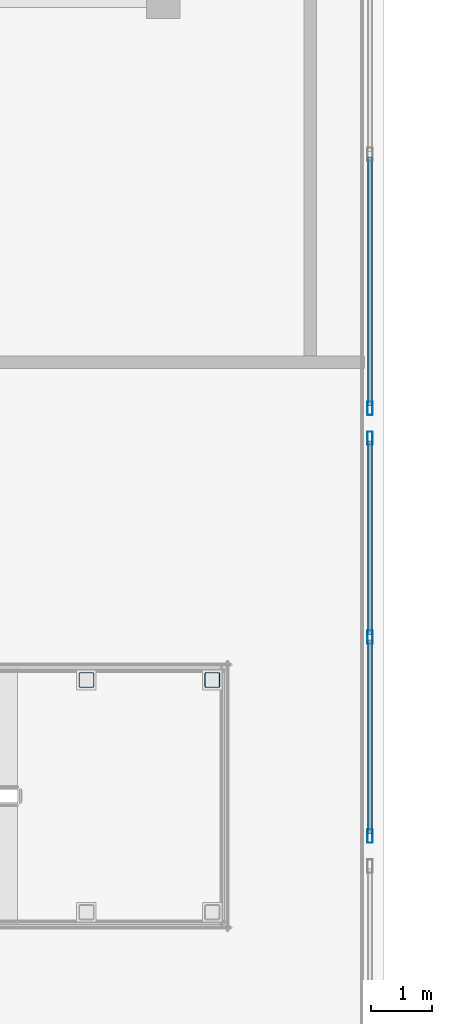
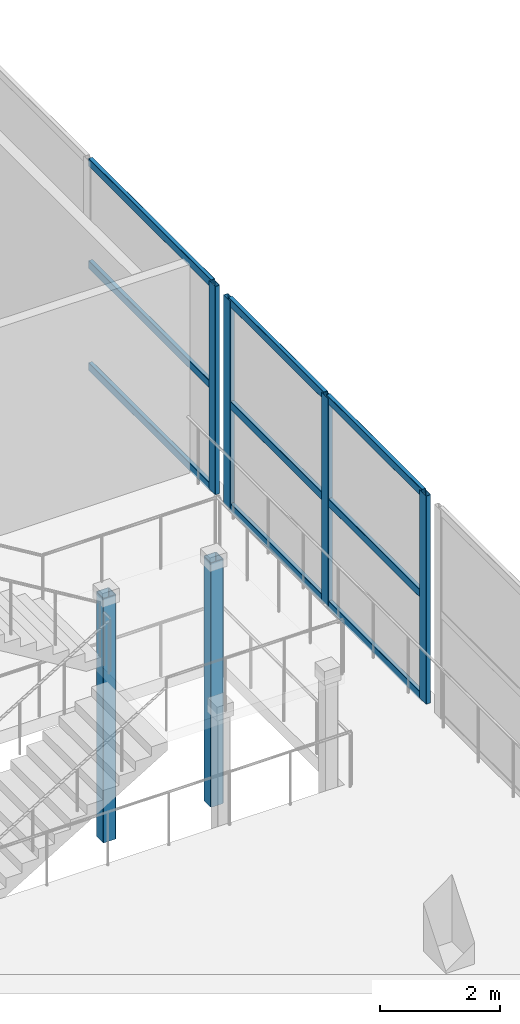
# One storey, part 11 of 92: 15 members, 2 elements without a shape of their own.
"""IFC4 building model written with IfcOpenShell, lengths in metres."""

from ifc_helpers import new_model, si_unit, direction, frame, origin, origin_2d, place, context, subcontext, project, spatial, hollow_rectangle, extrude, material, layer, layer_set, material_profile, profile_set, type_object, element, aggregate, save


model = new_model("IFC4")

# Units and contexts
model_context = context("Model", 3, precision=1e-05, world=origin(), true_north=direction((0.0, 1.0)))
body_context = subcontext(model_context, "Body", "Model", "MODEL_VIEW")
ifc_project = project(units=[si_unit("LENGTHUNIT", "METRE"), si_unit("AREAUNIT", "SQUARE_METRE"), si_unit("VOLUMEUNIT", "CUBIC_METRE"), si_unit("PLANEANGLEUNIT", "RADIAN"), si_unit("MASSUNIT", "GRAM", prefix="KILO")], contexts=[model_context])

# Site, building, storey
site_placement = place(None, origin())
site = spatial("IfcSite", under=ifc_project, at=site_placement, CompositionType="ELEMENT")
building_placement = place(site_placement, origin())
building = spatial("IfcBuilding", under=site, at=building_placement, Name="Tarnavel Promenade Courthouse", CompositionType="ELEMENT")
storey_placement = place(building_placement, frame((0.0, 0.0, 5.39990234375)))
storey = spatial("IfcBuildingStorey", under=building, at=storey_placement, Name="L02", CompositionType="ELEMENT", Elevation=5.39990234375)

# Members
ifc_material_1 = material(Name="Steel S355J2", Category="steel")
ifc_material_profile_1 = material_profile(ifc_material_1, hollow_rectangle(XDim=0.25, YDim=0.25, WallThickness=0.012451171875, InnerFilletRadius=0.012451171875, OuterFilletRadius=0.02490234375, at=origin_2d()), Name="SHS 250x250x12.5")
ifc_profile_set_1 = profile_set([ifc_material_profile_1], Name="Steel S355J2")
member_type_1 = type_object("IfcMemberType", Name="Steel S355J2 MEM-STR-SHS250 (SHS 250x250x12.5)", PredefinedType="STRUT", material=ifc_profile_set_1)
for number, where, z_axis, x_axis, name in (
    (1, (50.340087890625, 24.0, -2.699951171875), (0.0, 0.0, 1.0), (1.0, 0.0, 0.0), "L02 ST-09 Monumental Stair Landing Post 3"),
    (2, (52.39990234375, 24.0, -2.699951171875), (0.0, 0.0, 1.0), (1.0, 0.0, 0.0), "L02 ST-09 Monumental Stair Landing Post 4"),
):
    element("IfcMember", number, at=place(storey_placement, frame(where, z_axis=z_axis, x_axis=x_axis)), inside=storey, type_object=member_type_1, Name=name, PredefinedType="STRUT", context=body_context, shape_type="SweptSolid", body=[
        extrude(hollow_rectangle(XDim=0.25, YDim=0.25, WallThickness=0.012451171875, InnerFilletRadius=0.012451171875, OuterFilletRadius=0.02490234375, at=origin_2d()), origin(), (0.0, 0.0, 1.0), 4.949951171875),
    ])

# Curtain wall, members
ifc_material_2 = material(Name="Thermally Broken Anodised Aluminium Curtain Wall System", Category="aluminium")
ifc_layer = layer(ifc_material_2, 0.219970703125)
ifc_layer_set = layer_set([ifc_layer], Name="Thermally Broken Anodised Aluminium Curtain Wall System")
curtain_wall_type = type_object("IfcCurtainWallType", Name="Thermally Broken Aluminium Triple-Glazed Curtain Wall CW-DRUM", PredefinedType="NOTDEFINED", material=ifc_layer_set)
curtain_wall_1_placement = place(storey_placement, origin())
curtain_wall_1 = element("IfcCurtainWall", 3, at=curtain_wall_1_placement, inside=storey, type_object=curtain_wall_type, Name="L02 Public Drum East Return Curtain Wall 025", PredefinedType="NOTDEFINED")
ifc_material_3 = material(Name="Thermally Broken Anodised Aluminium Frame", Category="aluminium")
ifc_material_profile_2 = material_profile(ifc_material_3, hollow_rectangle(XDim=0.090087890625, YDim=0.219970703125, WallThickness=0.0048828125, InnerFilletRadius=0.0048828125, OuterFilletRadius=0.010009765625, at=origin_2d()), Name="CWM 220x90x5")
ifc_profile_set_2 = profile_set([ifc_material_profile_2], Name="Thermally Broken Anodised Aluminium Frame")
member_type_2 = type_object("IfcMemberType", Name="Thermally Broken Anodised Aluminium CWM-175 (CWM 220x90x5)", PredefinedType="MULLION", material=ifc_profile_set_2)
member_1_placement = place(storey_placement, frame((54.97998046875, 21.445068359375, 0.0), z_axis=(0.0, 0.0, 1.0), x_axis=(-1.0, 0.0, 0.0)))
member_1 = element("IfcMember", 4, at=member_1_placement, type_object=member_type_2, Name="CW-01 mullion 1", PredefinedType="MULLION", context=body_context, shape_type="SweptSolid", body=[
    extrude(hollow_rectangle(XDim=0.090087890625, YDim=0.219970703125, WallThickness=0.0048828125, InnerFilletRadius=0.0048828125, OuterFilletRadius=0.010009765625, at=origin_2d()), origin(), (0.0, 0.0, 1.0), 4.22021484375),
])
member_2_placement = place(storey_placement, frame((54.97998046875, 24.699951171875, 0.0), z_axis=(0.0, 0.0, 1.0), x_axis=(-1.0, 0.0, 0.0)))
member_2 = element("IfcMember", 5, at=member_2_placement, type_object=member_type_2, Name="CW-01 mullion 2", PredefinedType="MULLION", context=body_context, shape_type="SweptSolid", body=[
    extrude(hollow_rectangle(XDim=0.090087890625, YDim=0.219970703125, WallThickness=0.0048828125, InnerFilletRadius=0.0048828125, OuterFilletRadius=0.010009765625, at=origin_2d()), origin(), (0.0, 0.0, 1.0), 4.22021484375),
])
member_3_placement = place(storey_placement, frame((54.97998046875, 27.955078125, 0.0), z_axis=(0.0, 0.0, 1.0), x_axis=(-1.0, 0.0, 0.0)))
member_3 = element("IfcMember", 6, at=member_3_placement, type_object=member_type_2, Name="CW-01 mullion 3", PredefinedType="MULLION", context=body_context, shape_type="SweptSolid", body=[
    extrude(hollow_rectangle(XDim=0.090087890625, YDim=0.219970703125, WallThickness=0.0048828125, InnerFilletRadius=0.0048828125, OuterFilletRadius=0.010009765625, at=origin_2d()), origin(), (0.0, 0.0, 1.0), 4.22021484375),
])

# Curtain wall, member
curtain_wall_2_placement = place(storey_placement, origin())
curtain_wall_2 = element("IfcCurtainWall", 7, at=curtain_wall_2_placement, inside=storey, type_object=curtain_wall_type, Name="L02 Public Drum East Return Curtain Wall 026", PredefinedType="NOTDEFINED")
member_4_placement = place(storey_placement, frame((54.97998046875, 28.445068359375, 0.0), z_axis=(0.0, 0.0, 1.0), x_axis=(-1.0, 0.0, 0.0)))
member_4 = element("IfcMember", 8, at=member_4_placement, type_object=member_type_2, Name="CW-01 mullion 1", PredefinedType="MULLION", context=body_context, shape_type="SweptSolid", body=[
    extrude(hollow_rectangle(XDim=0.090087890625, YDim=0.219970703125, WallThickness=0.0048828125, InnerFilletRadius=0.0048828125, OuterFilletRadius=0.010009765625, at=origin_2d()), origin(), (0.0, 0.0, 1.0), 4.22021484375),
])

# Member
ifc_material_profile_3 = material_profile(ifc_material_3, hollow_rectangle(XDim=0.080078125, YDim=0.159912109375, WallThickness=0.0048828125, InnerFilletRadius=0.0048828125, OuterFilletRadius=0.010009765625, at=origin_2d()), Name="CWT 160x80x5")
ifc_profile_set_3 = profile_set([ifc_material_profile_3], Name="Thermally Broken Anodised Aluminium Frame")
member_type_3 = type_object("IfcMemberType", Name="Thermally Broken Anodised Aluminium CWT-145 (CWT 160x80x5)", PredefinedType="USERDEFINED", material=ifc_profile_set_3)
member_5_placement = place(storey_placement, frame((54.97998046875, 21.489990234375, 0.0400390625), z_axis=(0.0, 1.0, 0.0), x_axis=(-1.0, 0.0, 0.0)))
member_5 = element("IfcMember", 9, at=member_5_placement, type_object=member_type_3, Name="CW-01 transom 1.1", ObjectType="TRANSOM", PredefinedType="USERDEFINED", context=body_context, shape_type="SweptSolid", body=[
    extrude(hollow_rectangle(XDim=0.080078125, YDim=0.159912109375, WallThickness=0.0048828125, InnerFilletRadius=0.0048828125, OuterFilletRadius=0.010009765625, at=origin_2d()), origin(), (0.0, 0.0, 1.0), 3.1650390625),
])

member_6_placement = place(storey_placement, frame((54.97998046875, 21.489990234375, 2.110107421875), z_axis=(0.0, 1.0, 0.0), x_axis=(-1.0, 0.0, 0.0)))
member_6 = element("IfcMember", 10, at=member_6_placement, type_object=member_type_3, Name="CW-01 transom 1.2", ObjectType="TRANSOM", PredefinedType="USERDEFINED", context=body_context, shape_type="SweptSolid", body=[
    extrude(hollow_rectangle(XDim=0.080078125, YDim=0.159912109375, WallThickness=0.0048828125, InnerFilletRadius=0.0048828125, OuterFilletRadius=0.010009765625, at=origin_2d()), origin(), (0.0, 0.0, 1.0), 3.1650390625),
])

member_7_placement = place(storey_placement, frame((54.97998046875, 21.489990234375, 4.18017578125), z_axis=(0.0, 1.0, 0.0), x_axis=(-1.0, 0.0, 0.0)))
member_7 = element("IfcMember", 11, at=member_7_placement, type_object=member_type_3, Name="CW-01 transom 1.3", ObjectType="TRANSOM", PredefinedType="USERDEFINED", context=body_context, shape_type="SweptSolid", body=[
    extrude(hollow_rectangle(XDim=0.080078125, YDim=0.159912109375, WallThickness=0.0048828125, InnerFilletRadius=0.0048828125, OuterFilletRadius=0.010009765625, at=origin_2d()), origin(), (0.0, 0.0, 1.0), 3.1650390625),
])

member_8_placement = place(storey_placement, frame((54.97998046875, 24.7451171875, 0.0400390625), z_axis=(0.0, 1.0, 0.0), x_axis=(-1.0, 0.0, 0.0)))
member_8 = element("IfcMember", 12, at=member_8_placement, type_object=member_type_3, Name="CW-01 transom 2.1", ObjectType="TRANSOM", PredefinedType="USERDEFINED", context=body_context, shape_type="SweptSolid", body=[
    extrude(hollow_rectangle(XDim=0.080078125, YDim=0.159912109375, WallThickness=0.0048828125, InnerFilletRadius=0.0048828125, OuterFilletRadius=0.010009765625, at=origin_2d()), origin(), (0.0, 0.0, 1.0), 3.164794921875),
])

member_9_placement = place(storey_placement, frame((54.97998046875, 24.7451171875, 2.110107421875), z_axis=(0.0, 1.0, 0.0), x_axis=(-1.0, 0.0, 0.0)))
member_9 = element("IfcMember", 13, at=member_9_placement, type_object=member_type_3, Name="CW-01 transom 2.2", ObjectType="TRANSOM", PredefinedType="USERDEFINED", context=body_context, shape_type="SweptSolid", body=[
    extrude(hollow_rectangle(XDim=0.080078125, YDim=0.159912109375, WallThickness=0.0048828125, InnerFilletRadius=0.0048828125, OuterFilletRadius=0.010009765625, at=origin_2d()), origin(), (0.0, 0.0, 1.0), 3.164794921875),
])

member_10_placement = place(storey_placement, frame((54.97998046875, 24.7451171875, 4.18017578125), z_axis=(0.0, 1.0, 0.0), x_axis=(-1.0, 0.0, 0.0)))
member_10 = element("IfcMember", 14, at=member_10_placement, type_object=member_type_3, Name="CW-01 transom 2.3", ObjectType="TRANSOM", PredefinedType="USERDEFINED", context=body_context, shape_type="SweptSolid", body=[
    extrude(hollow_rectangle(XDim=0.080078125, YDim=0.159912109375, WallThickness=0.0048828125, InnerFilletRadius=0.0048828125, OuterFilletRadius=0.010009765625, at=origin_2d()), origin(), (0.0, 0.0, 1.0), 3.164794921875),
])

aggregate(curtain_wall_1, [member_1, member_2, member_3, member_5, member_6, member_7, member_8, member_9, member_10])

member_11_placement = place(storey_placement, frame((54.97998046875, 28.489990234375, 0.0400390625), z_axis=(0.0, 1.0, 0.0), x_axis=(-1.0, 0.0, 0.0)))
member_11 = element("IfcMember", 15, at=member_11_placement, type_object=member_type_3, Name="CW-01 transom 1.1", ObjectType="TRANSOM", PredefinedType="USERDEFINED", context=body_context, shape_type="SweptSolid", body=[
    extrude(hollow_rectangle(XDim=0.080078125, YDim=0.159912109375, WallThickness=0.0048828125, InnerFilletRadius=0.0048828125, OuterFilletRadius=0.010009765625, at=origin_2d()), origin(), (0.0, 0.0, 1.0), 4.06494140625),
])

member_12_placement = place(storey_placement, frame((54.97998046875, 28.489990234375, 2.110107421875), z_axis=(0.0, 1.0, 0.0), x_axis=(-1.0, 0.0, 0.0)))
member_12 = element("IfcMember", 16, at=member_12_placement, type_object=member_type_3, Name="CW-01 transom 1.2", ObjectType="TRANSOM", PredefinedType="USERDEFINED", context=body_context, shape_type="SweptSolid", body=[
    extrude(hollow_rectangle(XDim=0.080078125, YDim=0.159912109375, WallThickness=0.0048828125, InnerFilletRadius=0.0048828125, OuterFilletRadius=0.010009765625, at=origin_2d()), origin(), (0.0, 0.0, 1.0), 4.06494140625),
])

member_13_placement = place(storey_placement, frame((54.97998046875, 28.489990234375, 4.18017578125), z_axis=(0.0, 1.0, 0.0), x_axis=(-1.0, 0.0, 0.0)))
member_13 = element("IfcMember", 17, at=member_13_placement, type_object=member_type_3, Name="CW-01 transom 1.3", ObjectType="TRANSOM", PredefinedType="USERDEFINED", context=body_context, shape_type="SweptSolid", body=[
    extrude(hollow_rectangle(XDim=0.080078125, YDim=0.159912109375, WallThickness=0.0048828125, InnerFilletRadius=0.0048828125, OuterFilletRadius=0.010009765625, at=origin_2d()), origin(), (0.0, 0.0, 1.0), 4.06494140625),
])

aggregate(curtain_wall_2, [member_4, member_11, member_12, member_13])

save(model, "model.ifc")
